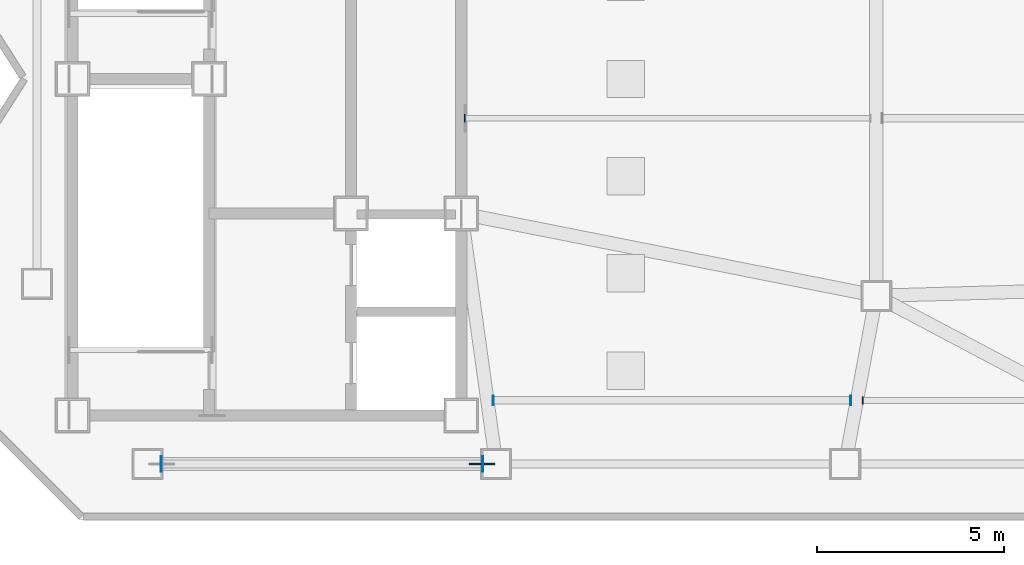
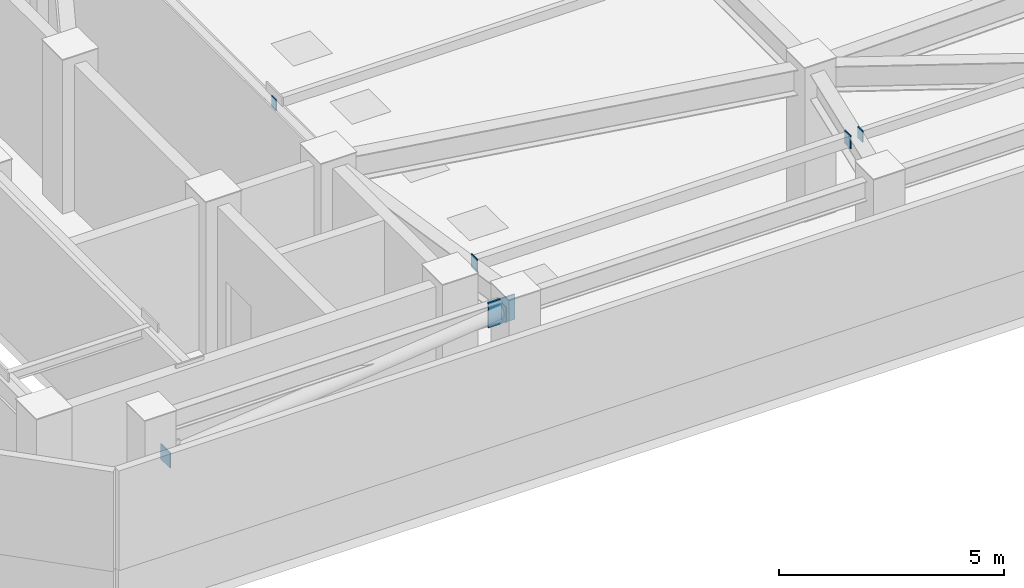
# One storey, part 3 of 7: 7 plates.
"""IFC4 building model written with IfcOpenShell, lengths in metres."""

from ifc_helpers import new_model, si_unit, direction, frame, origin, origin_2d, place, context, subcontext, project, spatial, rectangle, extrude, material, layer, layer_set, type_object, element, save


model = new_model("IFC4")

# Units and contexts
model_context = context("Model", 3, precision=1e-05, world=origin(), true_north=direction((0.0, 1.0)))
body_context = subcontext(model_context, "Body", "Model", "MODEL_VIEW")
ifc_project = project(units=[si_unit("LENGTHUNIT", "METRE"), si_unit("AREAUNIT", "SQUARE_METRE"), si_unit("VOLUMEUNIT", "CUBIC_METRE"), si_unit("PLANEANGLEUNIT", "RADIAN"), si_unit("MASSUNIT", "GRAM", prefix="KILO")], contexts=[model_context])

# Site, building, storey
site_placement = place(None, origin())
site = spatial("IfcSite", under=ifc_project, at=site_placement, CompositionType="ELEMENT")
building_placement = place(site_placement, origin())
building = spatial("IfcBuilding", under=site, at=building_placement, Name="Khamvora Tower", CompositionType="ELEMENT")
storey_placement = place(building_placement, frame((0.0, 0.0, 307.85009765625)))
storey = spatial("IfcBuildingStorey", under=building, at=storey_placement, Name="ROOF", CompositionType="ELEMENT", Elevation=307.85009765625)

# Plates
ifc_material_1 = material(Name="Steel S355", Category="steel")
ifc_layer_1 = layer(ifc_material_1, 0.02490234375)
ifc_layer_set_1 = layer_set([ifc_layer_1], Name="Steel S355")
plate_type_1 = type_object("IfcPlateType", Name="PL-CAP-25", PredefinedType="SHEET", material=ifc_layer_set_1)
for number, where, z_axis, x_axis, name in (
    (1, (31.365966796875, 17.699951171875, 2.511962890625), (0.0, 0.0, 1.0), (1.0, 0.0, 0.0), "ROOF hollow section steel end cap plate 1325"),
    (2, (39.967041015625, 17.699951171875, 3.435791015625), (0.0, 0.0, 1.0), (1.0, 0.0, 0.0), "ROOF hollow section steel end cap plate 1326"),
):
    element("IfcPlate", number, at=place(storey_placement, frame(where, z_axis=z_axis, x_axis=x_axis)), inside=storey, type_object=plate_type_1, Name=name, PredefinedType="SHEET", context=body_context, shape_type="SweptSolid", body=[
        extrude(rectangle(XDim=0.02490234375, YDim=0.416015625, at=origin_2d()), origin(), (0.0, 0.0, 1.0), 0.416015625),
    ])
for number, where, z_axis, x_axis, name in (
    (3, (40.258056640625, 19.39990234375, 3.61962890625), (0.0, 0.0, 1.0), (1.0, 0.0, 0.0), "ROOF hollow section steel end cap plate 1329"),
    (4, (49.819091796875, 19.39990234375, 3.61962890625), (0.0, 0.0, 1.0), (1.0, 0.0, 0.0), "ROOF hollow section steel end cap plate 1330"),
):
    element("IfcPlate", number, at=place(storey_placement, frame(where, z_axis=z_axis, x_axis=x_axis)), inside=storey, type_object=plate_type_1, Name=name, PredefinedType="SHEET", context=body_context, shape_type="SweptSolid", body=[
        extrude(rectangle(XDim=0.02490234375, YDim=0.260009765625, at=origin_2d()), origin(), (0.0, 0.0, 1.0), 0.360107421875),
    ])
for number, where, z_axis, x_axis, name in (
    (5, (50.14404296875, 19.39990234375, 3.669921875), (0.0, 0.0, 1.0), (1.0, 0.0, 0.0), "ROOF hollow section steel end cap plate 1331"),
    (6, (39.486083984375, 26.949951171875, 3.669921875), (0.0, 0.0, 1.0), (1.0, 0.0, 0.0), "ROOF hollow section steel end cap plate 1335"),
):
    element("IfcPlate", number, at=place(storey_placement, frame(where, z_axis=z_axis, x_axis=x_axis)), inside=storey, type_object=plate_type_1, Name=name, PredefinedType="SHEET", context=body_context, shape_type="SweptSolid", body=[
        extrude(rectangle(XDim=0.02490234375, YDim=0.2099609375, at=origin_2d()), origin(), (0.0, 0.0, 1.0), 0.31005859375),
    ])
ifc_material_2 = material(Name="Steel S460", Category="steel")
ifc_layer_2 = layer(ifc_material_2, 0.0400390625)
ifc_layer_set_2 = layer_set([ifc_layer_2], Name="Steel S460")
plate_type_2 = type_object("IfcPlateType", Name="PLT-GUS-40", PredefinedType="SHEET", material=ifc_layer_set_2)
plate_placement = place(storey_placement, frame((39.955078125, 17.699951171875, 3.302734375), z_axis=(0.0, 0.0, 1.0), x_axis=(1.0, 0.0, 0.0)))
element("IfcPlate", 7, at=plate_placement, inside=storey, type_object=plate_type_2, Name="ROOF brace connection node gusset plate 0474", PredefinedType="SHEET", context=body_context, shape_type="SweptSolid", body=[
    extrude(rectangle(XDim=0.679931640625, YDim=0.0400390625, at=origin_2d()), origin(), (0.0, 0.0, 1.0), 0.679931640625),
])

save(model, "model.ifc")
